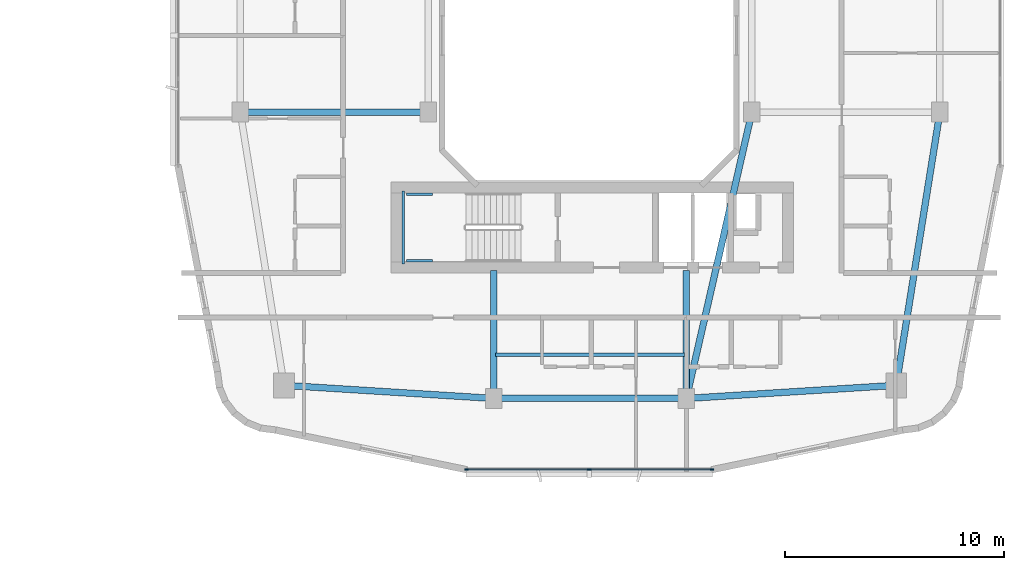
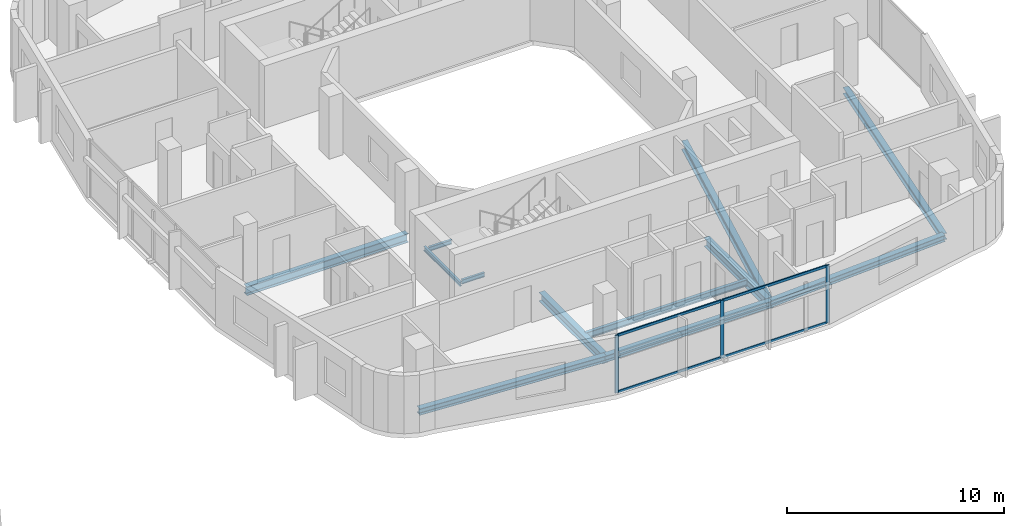
# One storey, part 8 of 26: 12 beams, 7 members, 1 element without a shape of its own.
"""IFC4 building model written with IfcOpenShell, lengths in metres."""

from ifc_helpers import new_model, si_unit, derived_unit, direction, frame, origin, origin_2d, place, context, subcontext, project, spatial, rectangle, i_section, extrude, material, layer, layer_set, material_profile, profile_set, type_object, element, aggregate, save


model = new_model("IFC4")

# Units and contexts
model_context = context("Model", 3, precision=1e-05, world=origin(), true_north=direction((0.0, 1.0)))
body_context = subcontext(model_context, "Body", "Model", "MODEL_VIEW")
ifc_project = project(units=[si_unit("LENGTHUNIT", "METRE"), si_unit("AREAUNIT", "SQUARE_METRE"), si_unit("VOLUMEUNIT", "CUBIC_METRE"), si_unit("PLANEANGLEUNIT", "RADIAN"), si_unit("MASSUNIT", "GRAM", prefix="KILO"), derived_unit("THERMALTRANSMITTANCEUNIT", [(si_unit("POWERUNIT", "WATT"), 1), (si_unit("LENGTHUNIT", "METRE"), -2), (si_unit("THERMODYNAMICTEMPERATUREUNIT", "KELVIN"), -1)])], contexts=[model_context])

# Site, building, storey
site_placement = place(None, origin())
site = spatial("IfcSite", under=ifc_project, at=site_placement, CompositionType="ELEMENT")
building_placement = place(site_placement, origin())
building = spatial("IfcBuilding", under=site, at=building_placement, Name="Kivonza Crest Hotel", CompositionType="ELEMENT")
storey_placement = place(building_placement, frame((0.0, 0.0, 62.5)))
storey = spatial("IfcBuildingStorey", under=building, at=storey_placement, Name="L16", CompositionType="ELEMENT", Elevation=62.5)

# Beams
ifc_material_1 = material(Name="Steel S355", Category="steel")
ifc_material_profile_1 = material_profile(ifc_material_1, i_section(OverallWidth=0.300048828125, OverallDepth=0.360107421875, WebThickness=0.012451171875, FlangeThickness=0.0224609375, FilletRadius=0.027099609375, at=origin_2d()), Name="HEB 360")
ifc_profile_set_1 = profile_set([ifc_material_profile_1], Name="Steel S355")
beam_type_1 = type_object("IfcBeamType", Name="BM-HEB360", PredefinedType="SPANDREL", material=ifc_profile_set_1)
beam_1_placement = place(storey_placement, frame((72.60009765625, 8.39990234375, -0.429931640625), z_axis=(1.0, 0.0, 0.0), x_axis=(0.0, 1.0, 0.0)))
element("IfcBeam", 1, at=beam_1_placement, inside=storey, type_object=beam_type_1, Name="Companion Tower T2 L16 perimeter spandrel S1-S2", PredefinedType="SPANDREL", context=body_context, shape_type="SweptSolid", body=[
    extrude(i_section(OverallWidth=0.300048828125, OverallDepth=0.360107421875, WebThickness=0.012451171875, FlangeThickness=0.0224609375, FilletRadius=0.027099609375, at=origin_2d()), origin(), (0.0, 0.0, 1.0), 8.7998046875),
])
beam_2_placement = place(storey_placement, frame((81.39990234375, 8.39990234375, -0.429931640625), z_axis=(0.998051985873, 0.062387767186, 0.0), x_axis=(-0.062387767186, 0.998051985873, 0.0)))
element("IfcBeam", 2, at=beam_2_placement, inside=storey, type_object=beam_type_1, Name="Companion Tower T2 L16 perimeter spandrel S2-SE", PredefinedType="SPANDREL", context=body_context, shape_type="SweptSolid", body=[
    extrude(i_section(OverallWidth=0.300048828125, OverallDepth=0.360107421875, WebThickness=0.012451171875, FlangeThickness=0.0224609375, FilletRadius=0.027099609375, at=origin_2d()), origin(), (0.0, 0.0, 1.0), 9.618896484375),
])
beam_3_placement = place(storey_placement, frame((91.0, 9.0, -0.429931640625), z_axis=(0.157990501107, 0.987440631917, 0.0), x_axis=(-0.987440631917, 0.157990501107, 0.0)))
element("IfcBeam", 3, at=beam_3_placement, inside=storey, type_object=beam_type_1, Name="Companion Tower T2 L16 perimeter spandrel SE-E1", PredefinedType="SPANDREL", context=body_context, shape_type="SweptSolid", body=[
    extrude(i_section(OverallWidth=0.300048828125, OverallDepth=0.360107421875, WebThickness=0.012451171875, FlangeThickness=0.0224609375, FilletRadius=0.027099609375, at=origin_2d()), origin(), (0.0, 0.0, 1.0), 12.658935546875),
])
beam_4_placement = place(storey_placement, frame((63.0, 9.0, -0.429931640625), z_axis=(0.998051985873, -0.062387767186, 0.0), x_axis=(0.062387767186, 0.998051985873, 0.0)))
element("IfcBeam", 4, at=beam_4_placement, inside=storey, type_object=beam_type_1, Name="Companion Tower T2 L16 perimeter spandrel SW-S1", PredefinedType="SPANDREL", context=body_context, shape_type="SweptSolid", body=[
    extrude(i_section(OverallWidth=0.300048828125, OverallDepth=0.360107421875, WebThickness=0.012451171875, FlangeThickness=0.0224609375, FilletRadius=0.027099609375, at=origin_2d()), origin(), (0.0, 0.0, 1.0), 9.618896484375),
])
ifc_material_profile_2 = material_profile(ifc_material_1, i_section(OverallWidth=0.300048828125, OverallDepth=0.5, WebThickness=0.014404296875, FlangeThickness=0.028076171875, FilletRadius=0.027099609375, at=origin_2d()), Name="HEB 500")
ifc_profile_set_2 = profile_set([ifc_material_profile_2], Name="Steel S355")
beam_type_2 = type_object("IfcBeamType", Name="BM-HEB500", PredefinedType="BEAM", material=ifc_profile_set_2)
beam_5_placement = place(storey_placement, frame((61.0, 21.5, -0.5), z_axis=(1.0, 0.0, 0.0), x_axis=(0.0, 1.0, 0.0)))
element("IfcBeam", 5, at=beam_5_placement, inside=storey, type_object=beam_type_2, Name="Companion Tower T2 L16 girder W1-WL1", PredefinedType="BEAM", context=body_context, shape_type="SweptSolid", body=[
    extrude(i_section(OverallWidth=0.300048828125, OverallDepth=0.5, WebThickness=0.014404296875, FlangeThickness=0.028076171875, FilletRadius=0.027099609375, at=origin_2d()), origin(), (0.0, 0.0, 1.0), 8.60009765625),
])
beam_6_placement = place(storey_placement, frame((84.39990234375, 21.5, -0.5), z_axis=(-0.223227287589, -0.974766422317, 0.0), x_axis=(0.974766422317, -0.223227287589, 0.0)))
element("IfcBeam", 6, at=beam_6_placement, inside=storey, type_object=beam_type_2, Name="Companion Tower T2 L16 girder WR1-S2", PredefinedType="BEAM", context=body_context, shape_type="SweptSolid", body=[
    extrude(i_section(OverallWidth=0.300048828125, OverallDepth=0.5, WebThickness=0.014404296875, FlangeThickness=0.028076171875, FilletRadius=0.027099609375, at=origin_2d()), origin(), (0.0, 0.0, 1.0), 13.439208984375),
])
for number, where, z_axis, x_axis, name in (
    (7, (72.60009765625, 8.39990234375, -0.5), (0.0, 1.0, 0.0), (-1.0, 0.0, 0.0), "Companion T2 L16 radial core girder RS1"),
    (8, (81.39990234375, 8.39990234375, -0.5), (0.0, 1.0, 0.0), (-1.0, 0.0, 0.0), "Companion T2 L16 radial core girder RS2"),
):
    element("IfcBeam", number, at=place(storey_placement, frame(where, z_axis=z_axis, x_axis=x_axis)), inside=storey, type_object=beam_type_2, Name=name, PredefinedType="BEAM", context=body_context, shape_type="SweptSolid", body=[
        extrude(i_section(OverallWidth=0.300048828125, OverallDepth=0.5, WebThickness=0.014404296875, FlangeThickness=0.028076171875, FilletRadius=0.027099609375, at=origin_2d()), origin(), (0.0, 0.0, 1.0), 5.85009765625),
    ])
ifc_material_profile_3 = material_profile(ifc_material_1, i_section(OverallWidth=0.169921875, OverallDepth=0.360107421875, WebThickness=0.008056640625, FlangeThickness=0.0126953125, FilletRadius=0.01806640625, at=origin_2d()), Name="IPE 360")
ifc_profile_set_3 = profile_set([ifc_material_profile_3], Name="Steel S355")
beam_type_3 = type_object("IfcBeamType", Name="BM-IPE360", PredefinedType="JOIST", material=ifc_profile_set_3)
beam_7_placement = place(storey_placement, frame((72.679931640625, 10.39990234375, -0.429931640625), z_axis=(1.0, 0.0, 0.0), x_axis=(0.0, 1.0, 0.0)))
element("IfcBeam", 9, at=beam_7_placement, inside=storey, type_object=beam_type_3, Name="Companion Tower T2 L16 South floor joist", PredefinedType="JOIST", context=body_context, shape_type="SweptSolid", body=[
    extrude(i_section(OverallWidth=0.169921875, OverallDepth=0.360107421875, WebThickness=0.008056640625, FlangeThickness=0.0126953125, FilletRadius=0.01806640625, at=origin_2d()), origin(), (0.0, 0.0, 1.0), 8.64013671875),
])
ifc_material_profile_4 = material_profile(ifc_material_1, i_section(OverallWidth=0.1201171875, OverallDepth=0.239990234375, WebThickness=0.006103515625, FlangeThickness=0.009765625, FilletRadius=0.014892578125, at=origin_2d()), Name="IPE 240")
ifc_profile_set_4 = profile_set([ifc_material_profile_4], Name="Steel S355")
beam_type_4 = type_object("IfcBeamType", Name="BM-LLDG-240", PredefinedType="BEAM", material=ifc_profile_set_4)
beam_8_placement = place(storey_placement, frame((68.4599609375, 14.5400390625, 1.429931640625), z_axis=(0.0, 1.0, 0.0), x_axis=(-1.0, 0.0, 0.0)))
element("IfcBeam", 10, at=beam_8_placement, inside=storey, type_object=beam_type_4, Name="Stair ST-T2-S L16 West landing corbel", PredefinedType="BEAM", context=body_context, shape_type="SweptSolid", body=[
    extrude(i_section(OverallWidth=0.1201171875, OverallDepth=0.239990234375, WebThickness=0.006103515625, FlangeThickness=0.009765625, FilletRadius=0.014892578125, at=origin_2d()), origin(), (0.0, 0.0, 1.0), 3.35986328125),
])
for number, where, z_axis, x_axis, name in (
    (11, (68.590087890625, 14.699951171875, 1.429931640625), (1.0, 0.0, 0.0), (0.0, 1.0, 0.0), "Stair ST-T2-S L16 South landing corbel"),
    (12, (68.590087890625, 17.739990234375, 1.429931640625), (1.0, 0.0, 0.0), (0.0, 1.0, 0.0), "Stair ST-T2-S L16 North landing corbel"),
):
    element("IfcBeam", number, at=place(storey_placement, frame(where, z_axis=z_axis, x_axis=x_axis)), inside=storey, type_object=beam_type_4, Name=name, PredefinedType="BEAM", context=body_context, shape_type="SweptSolid", body=[
        extrude(i_section(OverallWidth=0.1201171875, OverallDepth=0.239990234375, WebThickness=0.006103515625, FlangeThickness=0.009765625, FilletRadius=0.014892578125, at=origin_2d()), origin(), (0.0, 0.0, 1.0), 1.2099609375),
    ])

# Curtain wall, members
ifc_material_2 = material(Name="Anodised bronze aluminium and low-E double glazing", Category="aluminium")
ifc_layer = layer(ifc_material_2, 0.179931640625)
ifc_layer_set = layer_set([ifc_layer], Name="Anodised bronze aluminium and low-E double glazing")
curtain_wall_type = type_object("IfcCurtainWallType", Name="CW-SYS-4", PredefinedType="NOTDEFINED", material=ifc_layer_set)
curtain_wall_placement = place(storey_placement, origin())
curtain_wall = element("IfcCurtainWall", 13, at=curtain_wall_placement, inside=storey, type_object=curtain_wall_type, Name="L16 unitised curtain wall CW-T2-L16-08", PredefinedType="NOTDEFINED")
ifc_material_3 = material(Name="Anodised bronze aluminium", Category="aluminium")
ifc_material_profile_5 = material_profile(ifc_material_3, rectangle(XDim=0.06494140625, YDim=0.179931640625, at=origin_2d()), Name="CW-M 65x180")
ifc_profile_set_5 = profile_set([ifc_material_profile_5], Name="Anodised bronze aluminium")
member_type_1 = type_object("IfcMemberType", Name="CW-MUL-65x180", PredefinedType="MULLION", material=ifc_profile_set_5)
member_1_placement = place(storey_placement, frame((71.344482421875, 5.159912109375, 0.0), z_axis=(0.0, 0.0, 1.0), x_axis=(0.0, 1.0, 0.0)))
member_1 = element("IfcMember", 14, at=member_1_placement, type_object=member_type_1, Name="CW-4 mullion 1", PredefinedType="MULLION", context=body_context, shape_type="SweptSolid", body=[
    extrude(rectangle(XDim=0.06494140625, YDim=0.179931640625, at=origin_2d()), origin(), (0.0, 0.0, 1.0), 3.25),
])
member_2_placement = place(storey_placement, frame((76.9599609375, 5.159912109375, 0.0), z_axis=(0.0, 0.0, 1.0), x_axis=(0.0, 1.0, 0.0)))
member_2 = element("IfcMember", 15, at=member_2_placement, type_object=member_type_1, Name="CW-4 mullion 2", PredefinedType="MULLION", context=body_context, shape_type="SweptSolid", body=[
    extrude(rectangle(XDim=0.06494140625, YDim=0.179931640625, at=origin_2d()), origin(), (0.0, 0.0, 1.0), 3.25),
])
member_3_placement = place(storey_placement, frame((82.575439453125, 5.159912109375, 0.0), z_axis=(0.0, 0.0, 1.0), x_axis=(0.0, 1.0, 0.0)))
member_3 = element("IfcMember", 16, at=member_3_placement, type_object=member_type_1, Name="CW-4 mullion 3", PredefinedType="MULLION", context=body_context, shape_type="SweptSolid", body=[
    extrude(rectangle(XDim=0.06494140625, YDim=0.179931640625, at=origin_2d()), origin(), (0.0, 0.0, 1.0), 3.25),
])
ifc_material_profile_6 = material_profile(ifc_material_3, rectangle(XDim=0.06494140625, YDim=0.139892578125, at=origin_2d()), Name="CW-T 65x140")
ifc_profile_set_6 = profile_set([ifc_material_profile_6], Name="Anodised bronze aluminium")
member_type_2 = type_object("IfcMemberType", Name="CW-TRN-65x140", PredefinedType="USERDEFINED", material=ifc_profile_set_6)
member_4_placement = place(storey_placement, frame((71.376953125, 5.159912109375, 0.032470703125), z_axis=(1.0, 0.0, 0.0), x_axis=(0.0, 1.0, 0.0)))
member_4 = element("IfcMember", 17, at=member_4_placement, type_object=member_type_2, Name="CW-4 transom 1.1", ObjectType="TRANSOM", PredefinedType="USERDEFINED", context=body_context, shape_type="SweptSolid", body=[
    extrude(rectangle(XDim=0.06494140625, YDim=0.139892578125, at=origin_2d()), origin(), (0.0, 0.0, 1.0), 5.550537109375),
])
member_5_placement = place(storey_placement, frame((71.376953125, 5.159912109375, 3.217529296875), z_axis=(1.0, 0.0, 0.0), x_axis=(0.0, 1.0, 0.0)))
member_5 = element("IfcMember", 18, at=member_5_placement, type_object=member_type_2, Name="CW-4 transom 1.2", ObjectType="TRANSOM", PredefinedType="USERDEFINED", context=body_context, shape_type="SweptSolid", body=[
    extrude(rectangle(XDim=0.06494140625, YDim=0.139892578125, at=origin_2d()), origin(), (0.0, 0.0, 1.0), 5.550537109375),
])
member_6_placement = place(storey_placement, frame((76.992431640625, 5.159912109375, 0.032470703125), z_axis=(1.0, 0.0, 0.0), x_axis=(0.0, 1.0, 0.0)))
member_6 = element("IfcMember", 19, at=member_6_placement, type_object=member_type_2, Name="CW-4 transom 2.1", ObjectType="TRANSOM", PredefinedType="USERDEFINED", context=body_context, shape_type="SweptSolid", body=[
    extrude(rectangle(XDim=0.06494140625, YDim=0.139892578125, at=origin_2d()), origin(), (0.0, 0.0, 1.0), 5.550537109375),
])
member_7_placement = place(storey_placement, frame((76.992431640625, 5.159912109375, 3.217529296875), z_axis=(1.0, 0.0, 0.0), x_axis=(0.0, 1.0, 0.0)))
member_7 = element("IfcMember", 20, at=member_7_placement, type_object=member_type_2, Name="CW-4 transom 2.2", ObjectType="TRANSOM", PredefinedType="USERDEFINED", context=body_context, shape_type="SweptSolid", body=[
    extrude(rectangle(XDim=0.06494140625, YDim=0.139892578125, at=origin_2d()), origin(), (0.0, 0.0, 1.0), 5.550537109375),
])
aggregate(curtain_wall, [member_1, member_2, member_3, member_4, member_5, member_6, member_7])

save(model, "model.ifc")
